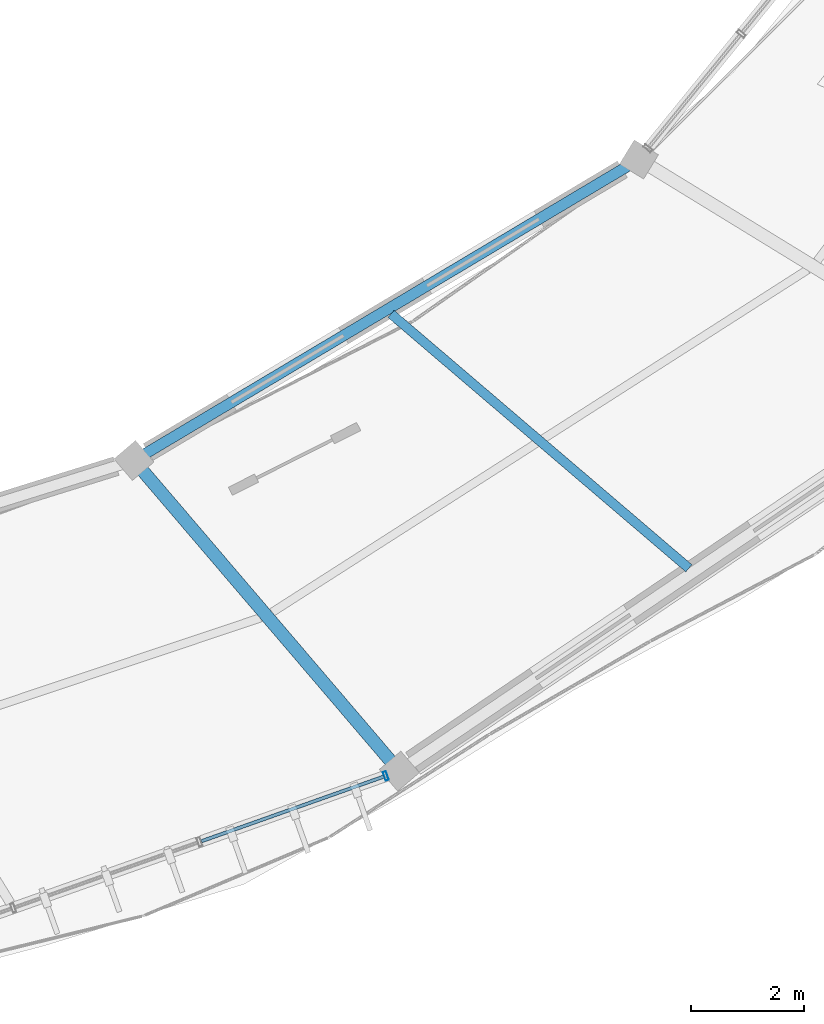
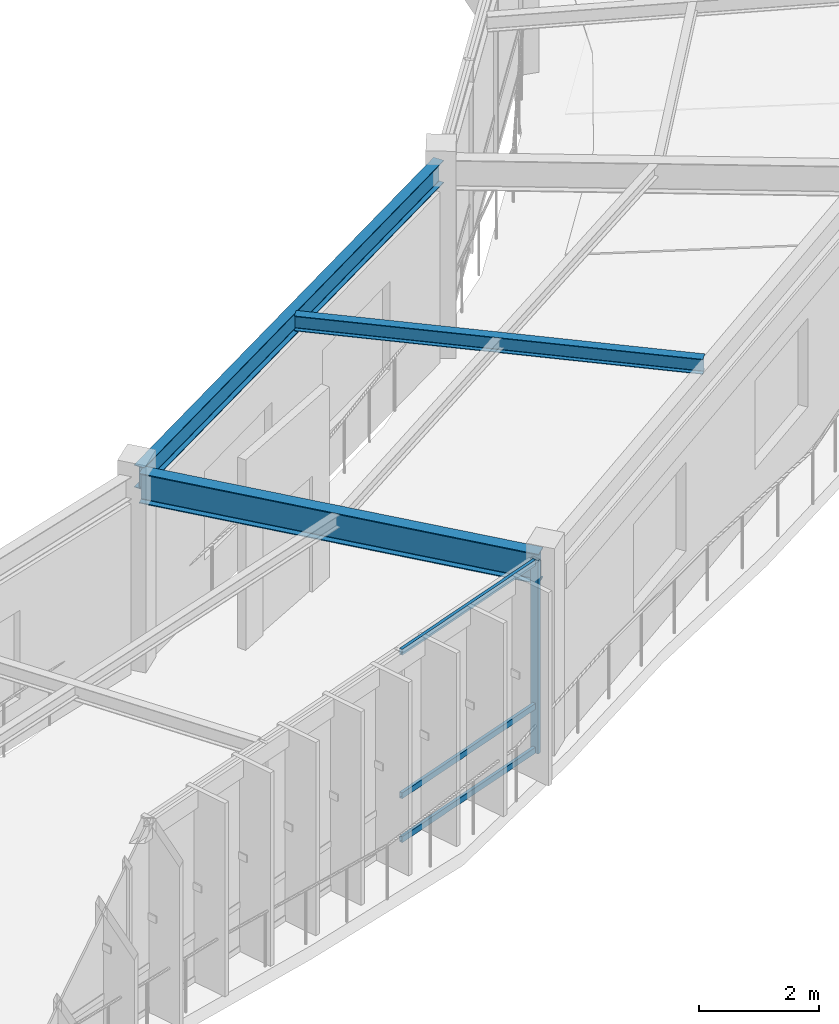
# One storey, part 47 of 78: 4 members, 3 beams, 1 element without a shape of its own.
"""IFC4 building model written with IfcOpenShell, lengths in metres."""

from ifc_helpers import new_model, si_unit, direction, frame, origin, origin_2d, place, context, subcontext, project, spatial, hollow_rectangle, i_section, extrude, material, material_profile, profile_set, type_object, element, aggregate, save


model = new_model("IFC4")

# Units and contexts
model_context = context("Model", 3, precision=1e-05, world=origin(), true_north=direction((0.0, 1.0)))
body_context = subcontext(model_context, "Body", "Model", "MODEL_VIEW")
ifc_project = project(units=[si_unit("LENGTHUNIT", "METRE"), si_unit("AREAUNIT", "SQUARE_METRE"), si_unit("VOLUMEUNIT", "CUBIC_METRE"), si_unit("PLANEANGLEUNIT", "RADIAN"), si_unit("MASSUNIT", "GRAM", prefix="KILO"), si_unit("THERMODYNAMICTEMPERATUREUNIT", "KELVIN"), si_unit("POWERUNIT", "WATT")], contexts=[model_context])

# Site, building, storey
site_placement = place(None, origin())
site = spatial("IfcSite", under=ifc_project, at=site_placement, CompositionType="ELEMENT")
building_placement = place(site_placement, origin())
building = spatial("IfcBuilding", under=site, at=building_placement, Name="Darbajah Civic Hall", CompositionType="ELEMENT")
storey_placement = place(building_placement, frame((0.0, 0.0, 26.39990234375)))
storey = spatial("IfcBuildingStorey", under=building, at=storey_placement, Name="L06", CompositionType="ELEMENT", Elevation=26.39990234375)

# Curtain wall, members
ifc_material_1 = material(Name="Anodised Bronze Aluminium and Low-E Glazing", Category="aluminium")
curtain_wall_type = type_object("IfcCurtainWallType", Name="Unitised Curtain Wall CW-85 13900x3900", PredefinedType="USERDEFINED", material=ifc_material_1)
curtain_wall_placement = place(storey_placement, origin())
curtain_wall = element("IfcCurtainWall", 1, at=curtain_wall_placement, inside=storey, type_object=curtain_wall_type, Name="L06 unitised curtain wall CW-V1O-L06-16", ObjectType="UNITISED CURTAIN WALL", PredefinedType="USERDEFINED")
ifc_material_2 = material(Name="Anodised Bronze Aluminium", Category="aluminium")
ifc_material_profile_1 = material_profile(ifc_material_2, hollow_rectangle(XDim=0.06005859375, YDim=0.159912109375, WallThickness=0.00341796875, at=origin_2d()), Name="ALU MULLION 60x160")
ifc_profile_set_1 = profile_set([ifc_material_profile_1], Name="Anodised Bronze Aluminium")
member_type_1 = type_object("IfcMemberType", Name="ALU MULLION 60x160", PredefinedType="MULLION", material=ifc_profile_set_1)
member_1_placement = place(storey_placement, frame((121.984375, 67.28369140625, 0.0), z_axis=(0.0, 0.0, 1.0), x_axis=(0.94252491309, 0.334135882844, 0.0)))
member_1 = element("IfcMember", 2, at=member_1_placement, type_object=member_type_1, Name="CW-V1O-L06-16 mullion 5", PredefinedType="MULLION", context=body_context, shape_type="SweptSolid", body=[
    extrude(hollow_rectangle(XDim=0.06005859375, YDim=0.159912109375, WallThickness=0.00341796875, at=origin_2d()), origin(), (0.0, 0.0, 1.0), 3.920166015625),
])
ifc_material_profile_2 = material_profile(ifc_material_2, hollow_rectangle(XDim=0.06005859375, YDim=0.1201171875, WallThickness=0.003173828125, at=origin_2d()), Name="ALU TRANSOM 60x120")
ifc_profile_set_2 = profile_set([ifc_material_profile_2], Name="Anodised Bronze Aluminium")
member_type_2 = type_object("IfcMemberType", Name="ALU TRANSOM 60x120", PredefinedType="USERDEFINED", material=ifc_profile_set_2)
member_2_placement = place(storey_placement, frame((118.73486328125, 66.132080078125, 0.06005859375), z_axis=(0.942540423743, 0.334092127429, 0.0), x_axis=(-0.334092127429, 0.942540423743, 0.0)))
member_2 = element("IfcMember", 3, at=member_2_placement, type_object=member_type_2, Name="CW-V1O-L06-16 transom 4.1", ObjectType="TRANSOM", PredefinedType="USERDEFINED", context=body_context, shape_type="SweptSolid", body=[
    extrude(hollow_rectangle(XDim=0.06005859375, YDim=0.1201171875, WallThickness=0.003173828125, at=origin_2d()), origin(), (0.0, 0.0, 1.0), 3.41259765625),
])
member_3_placement = place(storey_placement, frame((118.73486328125, 66.132080078125, 0.9501953125), z_axis=(0.942540423743, 0.334092127429, 0.0), x_axis=(-0.334092127429, 0.942540423743, 0.0)))
member_3 = element("IfcMember", 4, at=member_3_placement, type_object=member_type_2, Name="CW-V1O-L06-16 transom 4.2", ObjectType="TRANSOM", PredefinedType="USERDEFINED", context=body_context, shape_type="SweptSolid", body=[
    extrude(hollow_rectangle(XDim=0.06005859375, YDim=0.1201171875, WallThickness=0.003173828125, at=origin_2d()), origin(), (0.0, 0.0, 1.0), 3.41259765625),
])
member_4_placement = place(storey_placement, frame((118.73486328125, 66.132080078125, 3.860107421875), z_axis=(0.942540423743, 0.334092127429, 0.0), x_axis=(-0.334092127429, 0.942540423743, 0.0)))
member_4 = element("IfcMember", 5, at=member_4_placement, type_object=member_type_2, Name="CW-V1O-L06-16 transom 4.3", ObjectType="TRANSOM", PredefinedType="USERDEFINED", context=body_context, shape_type="SweptSolid", body=[
    extrude(hollow_rectangle(XDim=0.06005859375, YDim=0.1201171875, WallThickness=0.003173828125, at=origin_2d()), origin(), (0.0, 0.0, 1.0), 3.41259765625),
])
aggregate(curtain_wall, [member_1, member_2, member_3, member_4])

# Beams
ifc_material_3 = material(Name="Steel S355JR", Category="steel")
ifc_material_profile_3 = material_profile(ifc_material_3, i_section(OverallWidth=0.165771484375, OverallDepth=0.306640625, WebThickness=0.006591796875, FlangeThickness=0.01171875, FilletRadius=0.0087890625, at=origin_2d()), Name="UB 305x165x46")
ifc_profile_set_3 = profile_set([ifc_material_profile_3], Name="Steel S355JR")
beam_type_1 = type_object("IfcBeamType", Name="UB 305x165x46", PredefinedType="JOIST", material=ifc_profile_set_3)
beam_1_placement = place(storey_placement, frame((122.076416015625, 75.4267578125, 3.766845703125), z_axis=(0.760398784195, -0.649456456581, 0.0), x_axis=(0.649456456581, 0.760398784195, 0.0)))
element("IfcBeam", 6, at=beam_1_placement, inside=storey, type_object=beam_type_1, Name="L06 beam SJ-305", PredefinedType="JOIST", context=body_context, shape_type="SweptSolid", body=[
    extrude(i_section(OverallWidth=0.165771484375, OverallDepth=0.306640625, WebThickness=0.006591796875, FlangeThickness=0.01171875, FilletRadius=0.0087890625, at=origin_2d()), origin(), (0.0, 0.0, 1.0), 6.9033203125),
])
ifc_material_profile_4 = material_profile(ifc_material_3, i_section(OverallWidth=0.1904296875, OverallDepth=0.45703125, WebThickness=0.009033203125, FlangeThickness=0.014404296875, FilletRadius=0.01025390625, at=origin_2d()), Name="UB 457x191x74")
ifc_profile_set_4 = profile_set([ifc_material_profile_4], Name="Steel S355JR")
beam_type_2 = type_object("IfcBeamType", Name="UB 457x191x74", PredefinedType="BEAM", material=ifc_profile_set_4)
beam_2_placement = place(storey_placement, frame((117.614501953125, 72.8837890625, 3.691650390625), z_axis=(0.858952844576, 0.51205469512, 0.0), x_axis=(-0.51205469512, 0.858952844576, 0.0)))
element("IfcBeam", 7, at=beam_2_placement, inside=storey, type_object=beam_type_2, Name="L06 beam SB-457", PredefinedType="BEAM", context=body_context, shape_type="SweptSolid", body=[
    extrude(i_section(OverallWidth=0.1904296875, OverallDepth=0.45703125, WebThickness=0.009033203125, FlangeThickness=0.014404296875, FilletRadius=0.01025390625, at=origin_2d()), origin(), (0.0, 0.0, 1.0), 10.201416015625),
])
ifc_material_profile_5 = material_profile(ifc_material_3, i_section(OverallWidth=0.228271484375, OverallDepth=0.607666015625, WebThickness=0.010986328125, FlangeThickness=0.017333984375, FilletRadius=0.0126953125, at=origin_2d()), Name="UB 610x229x113")
ifc_profile_set_5 = profile_set([ifc_material_profile_5], Name="Steel S355JR")
beam_type_3 = type_object("IfcBeamType", Name="UB 610x229x113", PredefinedType="BEAM", material=ifc_profile_set_5)
beam_3_placement = place(storey_placement, frame((117.597900390625, 72.781982421875, 3.6162109375), z_axis=(0.649439482197, -0.760413281686, 0.0), x_axis=(0.760413281686, 0.649439482197, 0.0)))
element("IfcBeam", 8, at=beam_3_placement, inside=storey, type_object=beam_type_3, Name="L06 beam SB-610", PredefinedType="BEAM", context=body_context, shape_type="SweptSolid", body=[
    extrude(i_section(OverallWidth=0.228271484375, OverallDepth=0.607666015625, WebThickness=0.010986328125, FlangeThickness=0.017333984375, FilletRadius=0.0126953125, at=origin_2d()), origin(), (0.0, 0.0, 1.0), 7.0400390625),
])

save(model, "model.ifc")
